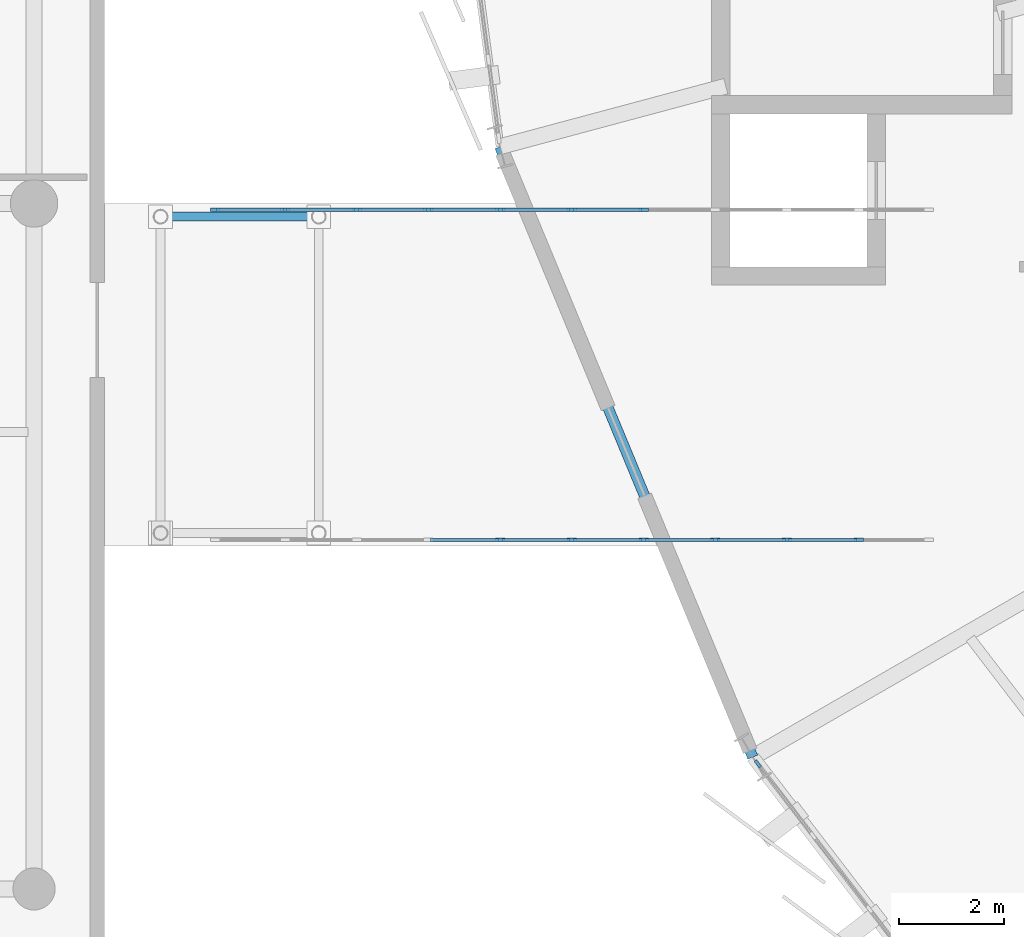
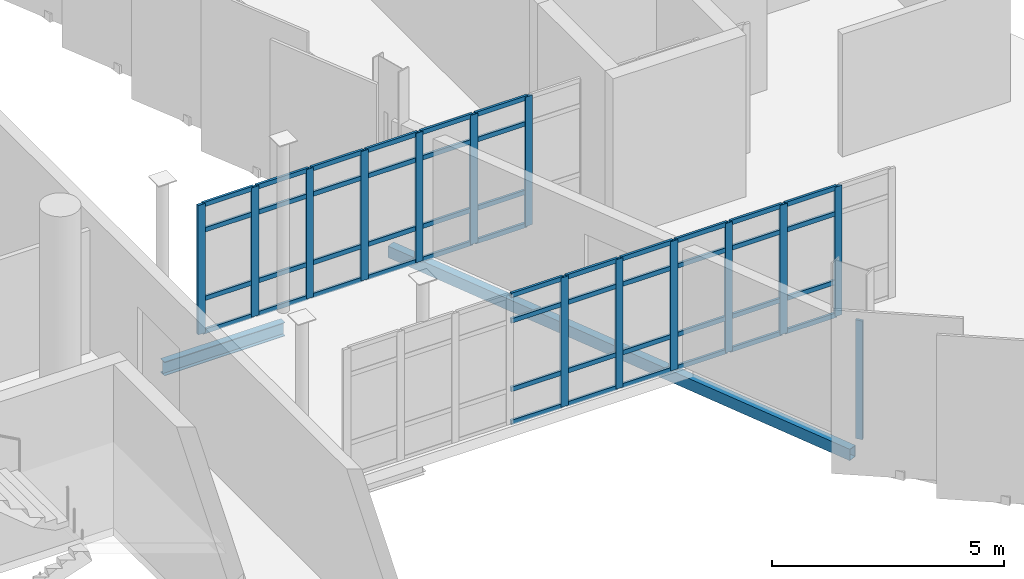
# One storey, part 30 of 134: 62 members, 2 beams, 3 elements without a shape of their own.
"""IFC4 building model written with IfcOpenShell, lengths in metres."""

import ifcopenshell
import ifcopenshell.guid

model = None  # the IFC model being written
_history = None  # IfcOwnerHistory: only IFC2X3 demands one
_inside = {}  # id of a spatial element -> (the spatial element, [elements in it])
_under = {}  # id of a project, library or spatial element -> (it, [spatial elements below it])
_declared = {}  # id of a project -> (the project, [libraries it declares])
_typed = {}  # id of a type object -> (the type object, [elements of that type])
_made_of = {}  # id of a material, layer set ... -> (it, [elements and type objects made of it])


def new_model(schema):
    """Start an empty IFC model of exactly this schema.

    Asked for "IFC4X3", IfcOpenShell would pick the latest addendum, in which some entities
    have other attributes; the version numbers below select the first issue.
    IFC2X3 requires an IfcOwnerHistory on every rooted entity: one is made here for all.
    """
    global model, _history
    if schema == "IFC4X3":
        model = ifcopenshell.file(schema_version=(4, 3, 0, 0))
    else:
        model = ifcopenshell.file(schema=schema)
    _inside.clear()
    _under.clear()
    _declared.clear()
    _typed.clear()
    _made_of.clear()
    _history = None
    if model.schema == "IFC2X3":
        org = make("IfcOrganization", Name="unknown")
        user = make(
            "IfcPersonAndOrganization",
            ThePerson=make("IfcPerson", FamilyName="unknown"),
            TheOrganization=org,
        )
        app = make(
            "IfcApplication",
            ApplicationDeveloper=org,
            Version="unknown",
            ApplicationFullName="unknown",
            ApplicationIdentifier="unknown",
        )
        _history = make(
            "IfcOwnerHistory",
            OwningUser=user,
            OwningApplication=app,
            ChangeAction="ADDED",
            CreationDate=0,
        )
    return model


def make(cls, **values):
    """One entity of the class cls with the attributes given. An attribute that is None is left unset."""
    return model.create_entity(
        cls, **{name: value for name, value in values.items() if value is not None}
    )


def rooted(cls, **values):
    """An entity with a GlobalId (a new one), such as an element, a storey or a relation."""
    return make(cls, GlobalId=ifcopenshell.guid.new(), OwnerHistory=_history, **values)


def si_unit(unit_type, name, prefix=None):
    """IfcSIUnit, for example si_unit("LENGTHUNIT", "METRE", prefix="MILLI")."""
    return make("IfcSIUnit", UnitType=unit_type, Prefix=prefix, Name=name)


def assignment(units):
    """IfcUnitAssignment: the units of a project."""
    return None if units is None else make("IfcUnitAssignment", Units=units)


def point(xyz):
    """IfcCartesianPoint."""
    return None if xyz is None else make("IfcCartesianPoint", Coordinates=xyz)


def direction(xyz):
    """IfcDirection."""
    return None if xyz is None else make("IfcDirection", DirectionRatios=xyz)


def frame(location, z_axis=None, x_axis=None):
    """IfcAxis2Placement3D, a coordinate frame: its origin and axes. An axis left out is left unset."""
    return make(
        "IfcAxis2Placement3D",
        Location=point(location),
        Axis=direction(z_axis),
        RefDirection=direction(x_axis),
    )


def frame_2d(location, x_axis=None):
    """IfcAxis2Placement2D, a coordinate frame in the plane: its origin and x axis."""
    return make(
        "IfcAxis2Placement2D", Location=point(location), RefDirection=direction(x_axis)
    )


def origin():
    """The frame at (0, 0, 0) with its axes left unset."""
    return frame((0.0, 0.0, 0.0))


def origin_2d():
    """The frame at (0, 0) in the plane with its x axis left unset."""
    return frame_2d((0.0, 0.0))


def place(relative_to, where):
    """IfcLocalPlacement: puts the frame where relative to a parent placement (None: the world)."""
    return make(
        "IfcLocalPlacement", PlacementRelTo=relative_to, RelativePlacement=where
    )


def context(
    kind, dimensions, precision=None, world=None, true_north=None, identifier=None
):
    """IfcGeometricRepresentationContext, for example the 3D "Model" context."""
    return make(
        "IfcGeometricRepresentationContext",
        ContextIdentifier=identifier,
        ContextType=kind,
        CoordinateSpaceDimension=dimensions,
        Precision=precision,
        WorldCoordinateSystem=world,
        TrueNorth=true_north,
    )


def subcontext(parent, identifier, kind, view, scale=None):
    """IfcGeometricRepresentationSubContext, for example "Body" below "Model"."""
    return make(
        "IfcGeometricRepresentationSubContext",
        ContextIdentifier=identifier,
        ContextType=kind,
        ParentContext=parent,
        TargetScale=scale,
        TargetView=view,
    )


def project(units=None, contexts=None):
    """IfcProject with its units and contexts."""
    return rooted(
        "IfcProject",
        Name="project",
        RepresentationContexts=contexts,
        UnitsInContext=assignment(units),
    )


def spatial(cls, under=None, at=None, **own):
    """A site, building, storey or space (cls), placed at a placement, below another one or the project."""
    s = rooted(cls, ObjectPlacement=at, **own)
    if under is not None:
        _under.setdefault(under.id(), (under, []))[1].append(s)
    return s


def profile(cls, at=None, kind="AREA", **sizes):
    """A parametric profile (cls). Its sizes go by their IFC names, for example OverallWidth=200.0."""
    return make(cls, ProfileType=kind, Position=at, **sizes)


def rectangle(**sizes):
    """IfcRectangleProfileDef."""
    return profile("IfcRectangleProfileDef", **sizes)


def hollow_rectangle(**sizes):
    """IfcRectangleHollowProfileDef."""
    return profile("IfcRectangleHollowProfileDef", **sizes)


def i_section(**sizes):
    """IfcIShapeProfileDef."""
    return profile("IfcIShapeProfileDef", **sizes)


def extrude(swept, where, along, depth):
    """IfcExtrudedAreaSolid: the profile swept, set in the frame where, extruded along a direction by depth."""
    return make(
        "IfcExtrudedAreaSolid",
        SweptArea=swept,
        Position=where,
        ExtrudedDirection=direction(along),
        Depth=depth,
    )


def shape(context_of_items, identifier, shape_type, items):
    """IfcShapeRepresentation: the items that make up one representation, for example the "Body"."""
    return make(
        "IfcShapeRepresentation",
        ContextOfItems=context_of_items,
        RepresentationIdentifier=identifier,
        RepresentationType=shape_type,
        Items=items,
    )


def material(Name=None, Category=None):
    """IfcMaterial."""
    return make("IfcMaterial", Name=Name, Category=Category)


def layer(
    of_material, thickness, ventilated=None, Name=None, Category=None, Priority=None
):
    """IfcMaterialLayer: one layer of a wall or slab, of a material (None: an air gap)."""
    return make(
        "IfcMaterialLayer",
        Material=of_material,
        LayerThickness=thickness,
        IsVentilated=ventilated,
        Name=Name,
        Category=Category,
        Priority=Priority,
    )


def layer_set(layers, Name=None):
    """IfcMaterialLayerSet."""
    return make("IfcMaterialLayerSet", MaterialLayers=layers, LayerSetName=Name)


def material_profile(
    of_material, cross_section, Name=None, Category=None, Priority=None
):
    """IfcMaterialProfile: a cross section and its material."""
    return make(
        "IfcMaterialProfile",
        Name=Name,
        Material=of_material,
        Profile=cross_section,
        Priority=Priority,
        Category=Category,
    )


def profile_set(profiles, Name=None, composite=None):
    """IfcMaterialProfileSet."""
    return make(
        "IfcMaterialProfileSet",
        Name=Name,
        MaterialProfiles=profiles,
        CompositeProfile=composite,
    )


def made_of(thing, what):
    """Note that an element or type object is made of a material, layer set ...; save() writes the relation."""
    if what is not None:
        _made_of.setdefault(what.id(), (what, []))[1].append(thing)
    return thing


def type_object(cls, material=None, **own):
    """A type object (cls), such as IfcWallType, which elements share."""
    return made_of(rooted(cls, **own), material)


def element(
    cls,
    number,
    at=None,
    inside=None,
    cuts=None,
    type_object=None,
    material=None,
    context=None,
    identifier="Body",
    shape_type=None,
    held_by="IfcProductDefinitionShape",
    body=None,
    shapes=None,
    **own,
):
    """One element of the class cls, such as IfcWall. Its Tag is "e" and its number.

    at: its placement. inside: the storey or other place that contains it. cuts: it is an
    opening in that element (IfcRelVoidsElement). A single representation is given by context,
    identifier, shape_type and body (its items); several are given by shapes. held_by: the class
    of the entity that holds the representations. save() writes the other relations.
    """
    e = rooted(cls, Tag="e%d" % number, ObjectPlacement=at, **own)
    if body is not None:
        shapes = [shape(context, identifier, shape_type, body)]
    if shapes is not None:
        e.Representation = make(held_by, Representations=shapes)
    if inside is not None:
        _inside.setdefault(inside.id(), (inside, []))[1].append(e)
    if cuts is not None:
        rooted(
            "IfcRelVoidsElement", RelatingBuildingElement=cuts, RelatedOpeningElement=e
        )
    if type_object is not None:
        _typed.setdefault(type_object.id(), (type_object, []))[1].append(e)
    return made_of(e, material)


def aggregate(whole, parts):
    """IfcRelAggregates: a whole, such as a stair, and the parts it consists of."""
    return rooted("IfcRelAggregates", RelatingObject=whole, RelatedObjects=parts)


def save(model, path):
    """Write the relations noted so far, then the file.

    IfcRelAggregates (storeys below a building ...), IfcRelContainedInSpatialStructure (elements
    in a storey), IfcRelDefinesByType, IfcRelAssociatesMaterial and IfcRelDeclares: one each for
    every whole, place, type object, material and project.
    """
    for whole, parts in _under.values():
        aggregate(whole, parts)
    for where, things in _inside.values():
        rooted(
            "IfcRelContainedInSpatialStructure",
            RelatedElements=things,
            RelatingStructure=where,
        )
    for kind, things in _typed.values():
        rooted("IfcRelDefinesByType", RelatedObjects=things, RelatingType=kind)
    for what, things in _made_of.values():
        rooted("IfcRelAssociatesMaterial", RelatedObjects=things, RelatingMaterial=what)
    for by, libraries in _declared.values():
        rooted("IfcRelDeclares", RelatingContext=by, RelatedDefinitions=libraries)
    model.write(path)


model = new_model("IFC4")

# Units and contexts
model_context = context("Model", 3, precision=1e-05, world=origin(), true_north=direction((0.0, 1.0)))
body_context = subcontext(model_context, "Body", "Model", "MODEL_VIEW")
ifc_project = project(units=[si_unit("LENGTHUNIT", "METRE"), si_unit("AREAUNIT", "SQUARE_METRE"), si_unit("VOLUMEUNIT", "CUBIC_METRE"), si_unit("PLANEANGLEUNIT", "RADIAN"), si_unit("MASSUNIT", "GRAM", prefix="KILO")], contexts=[model_context])

# Site, building, storey
site_placement = place(None, origin())
site = spatial("IfcSite", under=ifc_project, at=site_placement, CompositionType="ELEMENT")
building_placement = place(site_placement, origin())
building = spatial("IfcBuilding", under=site, at=building_placement, Name="Sohan Crest Arena", CompositionType="ELEMENT")
storey_placement = place(building_placement, frame((0.0, 0.0, 4.5)))
storey = spatial("IfcBuildingStorey", under=building, at=storey_placement, Name="L01", CompositionType="ELEMENT", Elevation=4.5)

# Curtain wall, member
ifc_material_1 = material(Name="Thermally broken anodised aluminium", Category="aluminium")
ifc_layer_1 = layer(ifc_material_1, 0.219970703125, Name="Thermally broken anodised aluminium")
ifc_layer_set_1 = layer_set([ifc_layer_1], Name="Thermally broken anodised aluminium")
curtain_wall_type_1 = type_object("IfcCurtainWallType", Name="ARC-CW03", PredefinedType="NOTDEFINED", material=ifc_layer_set_1)
curtain_wall_1_placement = place(storey_placement, origin())
curtain_wall_1 = element("IfcCurtainWall", 1, at=curtain_wall_1_placement, inside=storey, type_object=curtain_wall_type_1, Name="Unitised curtain wall CW-026", PredefinedType="NOTDEFINED")
ifc_material_profile_1 = material_profile(ifc_material_1, rectangle(XDim=0.06005859375, YDim=0.159912109375, at=origin_2d()), Name="ALU-MULL 60x160")
ifc_profile_set_1 = profile_set([ifc_material_profile_1], Name="Thermally broken anodised aluminium")
member_type_1 = type_object("IfcMemberType", Name="ARC-CW-ML01", PredefinedType="MULLION", material=ifc_profile_set_1)
member_1_placement = place(storey_placement, frame((56.5283203125, 53.873291015625, 0.0), z_axis=(0.0, 0.0, 1.0), x_axis=(0.793350515411, 0.608765110447, 0.0)))
member_1 = element("IfcMember", 2, at=member_1_placement, type_object=member_type_1, Name="CW-026 mullion 1", PredefinedType="MULLION", context=body_context, shape_type="SweptSolid", body=[
    extrude(rectangle(XDim=0.06005859375, YDim=0.159912109375, at=origin_2d()), origin(), (0.0, 0.0, 1.0), 3.1201171875),
])
aggregate(curtain_wall_1, [member_1])

# Curtain wall, members
ifc_layer_2 = layer(ifc_material_1, 0.18994140625, Name="Thermally broken anodised aluminium")
ifc_layer_set_2 = layer_set([ifc_layer_2], Name="Thermally broken anodised aluminium")
curtain_wall_type_2 = type_object("IfcCurtainWallType", Name="ARC-CW05", PredefinedType="NOTDEFINED", material=ifc_layer_set_2)
curtain_wall_2_placement = place(storey_placement, origin())
curtain_wall_2 = element("IfcCurtainWall", 3, at=curtain_wall_2_placement, inside=storey, type_object=curtain_wall_type_2, Name="Unitised curtain wall CW-225", PredefinedType="NOTDEFINED")
ifc_material_profile_2 = material_profile(ifc_material_1, rectangle(XDim=0.06494140625, YDim=0.179931640625, at=origin_2d()), Name="ALU-MULL 65x180")
ifc_profile_set_2 = profile_set([ifc_material_profile_2], Name="Thermally broken anodised aluminium")
member_type_2 = type_object("IfcMemberType", Name="ARC-CW-ML02", PredefinedType="MULLION", material=ifc_profile_set_2)
member_2_placement = place(storey_placement, frame((51.639892578125, 58.1201171875, 0.0), z_axis=(0.0, 0.0, 1.0), x_axis=(0.0, 1.0, 0.0)))
member_2 = element("IfcMember", 4, at=member_2_placement, type_object=member_type_2, Name="CW-225 mullion 5", PredefinedType="MULLION", context=body_context, shape_type="SweptSolid", body=[
    extrude(rectangle(XDim=0.06494140625, YDim=0.179931640625, at=origin_2d()), origin(), (0.0, 0.0, 1.0), 3.39990234375),
])
member_3_placement = place(storey_placement, frame((53.0, 58.1201171875, 0.0), z_axis=(0.0, 0.0, 1.0), x_axis=(0.0, 1.0, 0.0)))
member_3 = element("IfcMember", 5, at=member_3_placement, type_object=member_type_2, Name="CW-225 mullion 6", PredefinedType="MULLION", context=body_context, shape_type="SweptSolid", body=[
    extrude(rectangle(XDim=0.06494140625, YDim=0.179931640625, at=origin_2d()), origin(), (0.0, 0.0, 1.0), 3.39990234375),
])
member_4_placement = place(storey_placement, frame((54.360107421875, 58.1201171875, 0.0), z_axis=(0.0, 0.0, 1.0), x_axis=(0.0, 1.0, 0.0)))
member_4 = element("IfcMember", 6, at=member_4_placement, type_object=member_type_2, Name="CW-225 mullion 7", PredefinedType="MULLION", context=body_context, shape_type="SweptSolid", body=[
    extrude(rectangle(XDim=0.06494140625, YDim=0.179931640625, at=origin_2d()), origin(), (0.0, 0.0, 1.0), 3.39990234375),
])
member_5_placement = place(storey_placement, frame((55.719970703125, 58.1201171875, 0.0), z_axis=(0.0, 0.0, 1.0), x_axis=(0.0, 1.0, 0.0)))
member_5 = element("IfcMember", 7, at=member_5_placement, type_object=member_type_2, Name="CW-225 mullion 8", PredefinedType="MULLION", context=body_context, shape_type="SweptSolid", body=[
    extrude(rectangle(XDim=0.06494140625, YDim=0.179931640625, at=origin_2d()), origin(), (0.0, 0.0, 1.0), 3.39990234375),
])
member_6_placement = place(storey_placement, frame((57.080078125, 58.1201171875, 0.0), z_axis=(0.0, 0.0, 1.0), x_axis=(0.0, 1.0, 0.0)))
member_6 = element("IfcMember", 8, at=member_6_placement, type_object=member_type_2, Name="CW-225 mullion 9", PredefinedType="MULLION", context=body_context, shape_type="SweptSolid", body=[
    extrude(rectangle(XDim=0.06494140625, YDim=0.179931640625, at=origin_2d()), origin(), (0.0, 0.0, 1.0), 3.39990234375),
])
member_7_placement = place(storey_placement, frame((58.43994140625, 58.1201171875, 0.0), z_axis=(0.0, 0.0, 1.0), x_axis=(0.0, 1.0, 0.0)))
member_7 = element("IfcMember", 9, at=member_7_placement, type_object=member_type_2, Name="CW-225 mullion 10", PredefinedType="MULLION", context=body_context, shape_type="SweptSolid", body=[
    extrude(rectangle(XDim=0.06494140625, YDim=0.179931640625, at=origin_2d()), origin(), (0.0, 0.0, 1.0), 3.39990234375),
])

curtain_wall_3_placement = place(storey_placement, origin())
curtain_wall_3 = element("IfcCurtainWall", 10, at=curtain_wall_3_placement, inside=storey, type_object=curtain_wall_type_2, Name="Unitised curtain wall CW-226", PredefinedType="NOTDEFINED")
member_8_placement = place(storey_placement, frame((46.232421875, 64.3798828125, 0.0), z_axis=(0.0, 0.0, 1.0), x_axis=(0.0, 1.0, 0.0)))
member_8 = element("IfcMember", 11, at=member_8_placement, type_object=member_type_2, Name="CW-226 mullion 1", PredefinedType="MULLION", context=body_context, shape_type="SweptSolid", body=[
    extrude(rectangle(XDim=0.06494140625, YDim=0.179931640625, at=origin_2d()), origin(), (0.0, 0.0, 1.0), 3.39990234375),
])
member_9_placement = place(storey_placement, frame((47.56005859375, 64.3798828125, 0.0), z_axis=(0.0, 0.0, 1.0), x_axis=(0.0, 1.0, 0.0)))
member_9 = element("IfcMember", 12, at=member_9_placement, type_object=member_type_2, Name="CW-226 mullion 2", PredefinedType="MULLION", context=body_context, shape_type="SweptSolid", body=[
    extrude(rectangle(XDim=0.06494140625, YDim=0.179931640625, at=origin_2d()), origin(), (0.0, 0.0, 1.0), 3.39990234375),
])
member_10_placement = place(storey_placement, frame((48.919921875, 64.3798828125, 0.0), z_axis=(0.0, 0.0, 1.0), x_axis=(0.0, 1.0, 0.0)))
member_10 = element("IfcMember", 13, at=member_10_placement, type_object=member_type_2, Name="CW-226 mullion 3", PredefinedType="MULLION", context=body_context, shape_type="SweptSolid", body=[
    extrude(rectangle(XDim=0.06494140625, YDim=0.179931640625, at=origin_2d()), origin(), (0.0, 0.0, 1.0), 3.39990234375),
])
member_11_placement = place(storey_placement, frame((50.280029296875, 64.3798828125, 0.0), z_axis=(0.0, 0.0, 1.0), x_axis=(0.0, 1.0, 0.0)))
member_11 = element("IfcMember", 14, at=member_11_placement, type_object=member_type_2, Name="CW-226 mullion 4", PredefinedType="MULLION", context=body_context, shape_type="SweptSolid", body=[
    extrude(rectangle(XDim=0.06494140625, YDim=0.179931640625, at=origin_2d()), origin(), (0.0, 0.0, 1.0), 3.39990234375),
])
member_12_placement = place(storey_placement, frame((51.639892578125, 64.3798828125, 0.0), z_axis=(0.0, 0.0, 1.0), x_axis=(0.0, 1.0, 0.0)))
member_12 = element("IfcMember", 15, at=member_12_placement, type_object=member_type_2, Name="CW-226 mullion 5", PredefinedType="MULLION", context=body_context, shape_type="SweptSolid", body=[
    extrude(rectangle(XDim=0.06494140625, YDim=0.179931640625, at=origin_2d()), origin(), (0.0, 0.0, 1.0), 3.39990234375),
])
member_13_placement = place(storey_placement, frame((53.0, 64.3798828125, 0.0), z_axis=(0.0, 0.0, 1.0), x_axis=(0.0, 1.0, 0.0)))
member_13 = element("IfcMember", 16, at=member_13_placement, type_object=member_type_2, Name="CW-226 mullion 6", PredefinedType="MULLION", context=body_context, shape_type="SweptSolid", body=[
    extrude(rectangle(XDim=0.06494140625, YDim=0.179931640625, at=origin_2d()), origin(), (0.0, 0.0, 1.0), 3.39990234375),
])
member_14_placement = place(storey_placement, frame((54.360107421875, 64.3798828125, 0.0), z_axis=(0.0, 0.0, 1.0), x_axis=(0.0, 1.0, 0.0)))
member_14 = element("IfcMember", 17, at=member_14_placement, type_object=member_type_2, Name="CW-226 mullion 7", PredefinedType="MULLION", context=body_context, shape_type="SweptSolid", body=[
    extrude(rectangle(XDim=0.06494140625, YDim=0.179931640625, at=origin_2d()), origin(), (0.0, 0.0, 1.0), 3.39990234375),
])

# Member
ifc_material_profile_3 = material_profile(ifc_material_1, rectangle(XDim=0.06005859375, YDim=0.1201171875, at=origin_2d()), Name="ALU-TRAN 60x120")
ifc_profile_set_3 = profile_set([ifc_material_profile_3], Name="Thermally broken anodised aluminium")
member_type_3 = type_object("IfcMemberType", Name="ARC-CW-TR01", PredefinedType="USERDEFINED", material=ifc_profile_set_3)
member_15_placement = place(storey_placement, frame((50.3125, 58.1201171875, 0.030029296875), z_axis=(1.0, 0.0, 0.0), x_axis=(0.0, 1.0, 0.0)))
member_15 = element("IfcMember", 18, at=member_15_placement, type_object=member_type_3, Name="CW-225 transom 4.1", ObjectType="TRANSOM", PredefinedType="USERDEFINED", context=body_context, shape_type="SweptSolid", body=[
    extrude(rectangle(XDim=0.06005859375, YDim=0.1201171875, at=origin_2d()), origin(), (0.0, 0.0, 1.0), 1.294921875),
])

member_16_placement = place(storey_placement, frame((50.3125, 58.1201171875, 0.89990234375), z_axis=(1.0, 0.0, 0.0), x_axis=(0.0, 1.0, 0.0)))
member_16 = element("IfcMember", 19, at=member_16_placement, type_object=member_type_3, Name="CW-225 transom 4.2", ObjectType="TRANSOM", PredefinedType="USERDEFINED", context=body_context, shape_type="SweptSolid", body=[
    extrude(rectangle(XDim=0.06005859375, YDim=0.1201171875, at=origin_2d()), origin(), (0.0, 0.0, 1.0), 1.294921875),
])

member_17_placement = place(storey_placement, frame((50.3125, 58.1201171875, 2.699951171875), z_axis=(1.0, 0.0, 0.0), x_axis=(0.0, 1.0, 0.0)))
member_17 = element("IfcMember", 20, at=member_17_placement, type_object=member_type_3, Name="CW-225 transom 4.3", ObjectType="TRANSOM", PredefinedType="USERDEFINED", context=body_context, shape_type="SweptSolid", body=[
    extrude(rectangle(XDim=0.06005859375, YDim=0.1201171875, at=origin_2d()), origin(), (0.0, 0.0, 1.0), 1.294921875),
])

member_18_placement = place(storey_placement, frame((50.3125, 58.1201171875, 3.3701171875), z_axis=(1.0, 0.0, 0.0), x_axis=(0.0, 1.0, 0.0)))
member_18 = element("IfcMember", 21, at=member_18_placement, type_object=member_type_3, Name="CW-225 transom 4.4", ObjectType="TRANSOM", PredefinedType="USERDEFINED", context=body_context, shape_type="SweptSolid", body=[
    extrude(rectangle(XDim=0.06005859375, YDim=0.1201171875, at=origin_2d()), origin(), (0.0, 0.0, 1.0), 1.294921875),
])

member_19_placement = place(storey_placement, frame((51.672607421875, 58.1201171875, 0.030029296875), z_axis=(1.0, 0.0, 0.0), x_axis=(0.0, 1.0, 0.0)))
member_19 = element("IfcMember", 22, at=member_19_placement, type_object=member_type_3, Name="CW-225 transom 5.1", ObjectType="TRANSOM", PredefinedType="USERDEFINED", context=body_context, shape_type="SweptSolid", body=[
    extrude(rectangle(XDim=0.06005859375, YDim=0.1201171875, at=origin_2d()), origin(), (0.0, 0.0, 1.0), 1.294921875),
])

member_20_placement = place(storey_placement, frame((51.672607421875, 58.1201171875, 0.89990234375), z_axis=(1.0, 0.0, 0.0), x_axis=(0.0, 1.0, 0.0)))
member_20 = element("IfcMember", 23, at=member_20_placement, type_object=member_type_3, Name="CW-225 transom 5.2", ObjectType="TRANSOM", PredefinedType="USERDEFINED", context=body_context, shape_type="SweptSolid", body=[
    extrude(rectangle(XDim=0.06005859375, YDim=0.1201171875, at=origin_2d()), origin(), (0.0, 0.0, 1.0), 1.294921875),
])

member_21_placement = place(storey_placement, frame((51.672607421875, 58.1201171875, 2.699951171875), z_axis=(1.0, 0.0, 0.0), x_axis=(0.0, 1.0, 0.0)))
member_21 = element("IfcMember", 24, at=member_21_placement, type_object=member_type_3, Name="CW-225 transom 5.3", ObjectType="TRANSOM", PredefinedType="USERDEFINED", context=body_context, shape_type="SweptSolid", body=[
    extrude(rectangle(XDim=0.06005859375, YDim=0.1201171875, at=origin_2d()), origin(), (0.0, 0.0, 1.0), 1.294921875),
])

member_22_placement = place(storey_placement, frame((51.672607421875, 58.1201171875, 3.3701171875), z_axis=(1.0, 0.0, 0.0), x_axis=(0.0, 1.0, 0.0)))
member_22 = element("IfcMember", 25, at=member_22_placement, type_object=member_type_3, Name="CW-225 transom 5.4", ObjectType="TRANSOM", PredefinedType="USERDEFINED", context=body_context, shape_type="SweptSolid", body=[
    extrude(rectangle(XDim=0.06005859375, YDim=0.1201171875, at=origin_2d()), origin(), (0.0, 0.0, 1.0), 1.294921875),
])

member_23_placement = place(storey_placement, frame((53.032470703125, 58.1201171875, 0.030029296875), z_axis=(1.0, 0.0, 0.0), x_axis=(0.0, 1.0, 0.0)))
member_23 = element("IfcMember", 26, at=member_23_placement, type_object=member_type_3, Name="CW-225 transom 6.1", ObjectType="TRANSOM", PredefinedType="USERDEFINED", context=body_context, shape_type="SweptSolid", body=[
    extrude(rectangle(XDim=0.06005859375, YDim=0.1201171875, at=origin_2d()), origin(), (0.0, 0.0, 1.0), 1.294921875),
])

member_24_placement = place(storey_placement, frame((53.032470703125, 58.1201171875, 0.89990234375), z_axis=(1.0, 0.0, 0.0), x_axis=(0.0, 1.0, 0.0)))
member_24 = element("IfcMember", 27, at=member_24_placement, type_object=member_type_3, Name="CW-225 transom 6.2", ObjectType="TRANSOM", PredefinedType="USERDEFINED", context=body_context, shape_type="SweptSolid", body=[
    extrude(rectangle(XDim=0.06005859375, YDim=0.1201171875, at=origin_2d()), origin(), (0.0, 0.0, 1.0), 1.294921875),
])

member_25_placement = place(storey_placement, frame((53.032470703125, 58.1201171875, 2.699951171875), z_axis=(1.0, 0.0, 0.0), x_axis=(0.0, 1.0, 0.0)))
member_25 = element("IfcMember", 28, at=member_25_placement, type_object=member_type_3, Name="CW-225 transom 6.3", ObjectType="TRANSOM", PredefinedType="USERDEFINED", context=body_context, shape_type="SweptSolid", body=[
    extrude(rectangle(XDim=0.06005859375, YDim=0.1201171875, at=origin_2d()), origin(), (0.0, 0.0, 1.0), 1.294921875),
])

member_26_placement = place(storey_placement, frame((53.032470703125, 58.1201171875, 3.3701171875), z_axis=(1.0, 0.0, 0.0), x_axis=(0.0, 1.0, 0.0)))
member_26 = element("IfcMember", 29, at=member_26_placement, type_object=member_type_3, Name="CW-225 transom 6.4", ObjectType="TRANSOM", PredefinedType="USERDEFINED", context=body_context, shape_type="SweptSolid", body=[
    extrude(rectangle(XDim=0.06005859375, YDim=0.1201171875, at=origin_2d()), origin(), (0.0, 0.0, 1.0), 1.294921875),
])

member_27_placement = place(storey_placement, frame((54.392578125, 58.1201171875, 0.030029296875), z_axis=(1.0, 0.0, 0.0), x_axis=(0.0, 1.0, 0.0)))
member_27 = element("IfcMember", 30, at=member_27_placement, type_object=member_type_3, Name="CW-225 transom 7.1", ObjectType="TRANSOM", PredefinedType="USERDEFINED", context=body_context, shape_type="SweptSolid", body=[
    extrude(rectangle(XDim=0.06005859375, YDim=0.1201171875, at=origin_2d()), origin(), (0.0, 0.0, 1.0), 1.294921875),
])

member_28_placement = place(storey_placement, frame((54.392578125, 58.1201171875, 0.89990234375), z_axis=(1.0, 0.0, 0.0), x_axis=(0.0, 1.0, 0.0)))
member_28 = element("IfcMember", 31, at=member_28_placement, type_object=member_type_3, Name="CW-225 transom 7.2", ObjectType="TRANSOM", PredefinedType="USERDEFINED", context=body_context, shape_type="SweptSolid", body=[
    extrude(rectangle(XDim=0.06005859375, YDim=0.1201171875, at=origin_2d()), origin(), (0.0, 0.0, 1.0), 1.294921875),
])

member_29_placement = place(storey_placement, frame((54.392578125, 58.1201171875, 2.699951171875), z_axis=(1.0, 0.0, 0.0), x_axis=(0.0, 1.0, 0.0)))
member_29 = element("IfcMember", 32, at=member_29_placement, type_object=member_type_3, Name="CW-225 transom 7.3", ObjectType="TRANSOM", PredefinedType="USERDEFINED", context=body_context, shape_type="SweptSolid", body=[
    extrude(rectangle(XDim=0.06005859375, YDim=0.1201171875, at=origin_2d()), origin(), (0.0, 0.0, 1.0), 1.294921875),
])

member_30_placement = place(storey_placement, frame((54.392578125, 58.1201171875, 3.3701171875), z_axis=(1.0, 0.0, 0.0), x_axis=(0.0, 1.0, 0.0)))
member_30 = element("IfcMember", 33, at=member_30_placement, type_object=member_type_3, Name="CW-225 transom 7.4", ObjectType="TRANSOM", PredefinedType="USERDEFINED", context=body_context, shape_type="SweptSolid", body=[
    extrude(rectangle(XDim=0.06005859375, YDim=0.1201171875, at=origin_2d()), origin(), (0.0, 0.0, 1.0), 1.294921875),
])

member_31_placement = place(storey_placement, frame((55.75244140625, 58.1201171875, 0.030029296875), z_axis=(1.0, 0.0, 0.0), x_axis=(0.0, 1.0, 0.0)))
member_31 = element("IfcMember", 34, at=member_31_placement, type_object=member_type_3, Name="CW-225 transom 8.1", ObjectType="TRANSOM", PredefinedType="USERDEFINED", context=body_context, shape_type="SweptSolid", body=[
    extrude(rectangle(XDim=0.06005859375, YDim=0.1201171875, at=origin_2d()), origin(), (0.0, 0.0, 1.0), 1.295166015625),
])

member_32_placement = place(storey_placement, frame((55.75244140625, 58.1201171875, 0.89990234375), z_axis=(1.0, 0.0, 0.0), x_axis=(0.0, 1.0, 0.0)))
member_32 = element("IfcMember", 35, at=member_32_placement, type_object=member_type_3, Name="CW-225 transom 8.2", ObjectType="TRANSOM", PredefinedType="USERDEFINED", context=body_context, shape_type="SweptSolid", body=[
    extrude(rectangle(XDim=0.06005859375, YDim=0.1201171875, at=origin_2d()), origin(), (0.0, 0.0, 1.0), 1.295166015625),
])

member_33_placement = place(storey_placement, frame((55.75244140625, 58.1201171875, 2.699951171875), z_axis=(1.0, 0.0, 0.0), x_axis=(0.0, 1.0, 0.0)))
member_33 = element("IfcMember", 36, at=member_33_placement, type_object=member_type_3, Name="CW-225 transom 8.3", ObjectType="TRANSOM", PredefinedType="USERDEFINED", context=body_context, shape_type="SweptSolid", body=[
    extrude(rectangle(XDim=0.06005859375, YDim=0.1201171875, at=origin_2d()), origin(), (0.0, 0.0, 1.0), 1.295166015625),
])

member_34_placement = place(storey_placement, frame((55.75244140625, 58.1201171875, 3.3701171875), z_axis=(1.0, 0.0, 0.0), x_axis=(0.0, 1.0, 0.0)))
member_34 = element("IfcMember", 37, at=member_34_placement, type_object=member_type_3, Name="CW-225 transom 8.4", ObjectType="TRANSOM", PredefinedType="USERDEFINED", context=body_context, shape_type="SweptSolid", body=[
    extrude(rectangle(XDim=0.06005859375, YDim=0.1201171875, at=origin_2d()), origin(), (0.0, 0.0, 1.0), 1.295166015625),
])

member_35_placement = place(storey_placement, frame((57.112548828125, 58.1201171875, 0.030029296875), z_axis=(1.0, 0.0, 0.0), x_axis=(0.0, 1.0, 0.0)))
member_35 = element("IfcMember", 38, at=member_35_placement, type_object=member_type_3, Name="CW-225 transom 9.1", ObjectType="TRANSOM", PredefinedType="USERDEFINED", context=body_context, shape_type="SweptSolid", body=[
    extrude(rectangle(XDim=0.06005859375, YDim=0.1201171875, at=origin_2d()), origin(), (0.0, 0.0, 1.0), 1.294921875),
])

member_36_placement = place(storey_placement, frame((57.112548828125, 58.1201171875, 0.89990234375), z_axis=(1.0, 0.0, 0.0), x_axis=(0.0, 1.0, 0.0)))
member_36 = element("IfcMember", 39, at=member_36_placement, type_object=member_type_3, Name="CW-225 transom 9.2", ObjectType="TRANSOM", PredefinedType="USERDEFINED", context=body_context, shape_type="SweptSolid", body=[
    extrude(rectangle(XDim=0.06005859375, YDim=0.1201171875, at=origin_2d()), origin(), (0.0, 0.0, 1.0), 1.294921875),
])

member_37_placement = place(storey_placement, frame((57.112548828125, 58.1201171875, 2.699951171875), z_axis=(1.0, 0.0, 0.0), x_axis=(0.0, 1.0, 0.0)))
member_37 = element("IfcMember", 40, at=member_37_placement, type_object=member_type_3, Name="CW-225 transom 9.3", ObjectType="TRANSOM", PredefinedType="USERDEFINED", context=body_context, shape_type="SweptSolid", body=[
    extrude(rectangle(XDim=0.06005859375, YDim=0.1201171875, at=origin_2d()), origin(), (0.0, 0.0, 1.0), 1.294921875),
])

member_38_placement = place(storey_placement, frame((57.112548828125, 58.1201171875, 3.3701171875), z_axis=(1.0, 0.0, 0.0), x_axis=(0.0, 1.0, 0.0)))
member_38 = element("IfcMember", 41, at=member_38_placement, type_object=member_type_3, Name="CW-225 transom 9.4", ObjectType="TRANSOM", PredefinedType="USERDEFINED", context=body_context, shape_type="SweptSolid", body=[
    extrude(rectangle(XDim=0.06005859375, YDim=0.1201171875, at=origin_2d()), origin(), (0.0, 0.0, 1.0), 1.294921875),
])

aggregate(curtain_wall_2, [member_2, member_3, member_4, member_5, member_6, member_7, member_15, member_16, member_17, member_18, member_19, member_20, member_21, member_22, member_23, member_24, member_25, member_26, member_27, member_28, member_29, member_30, member_31, member_32, member_33, member_34, member_35, member_36, member_37, member_38])

member_39_placement = place(storey_placement, frame((46.264892578125, 64.3798828125, 0.030029296875), z_axis=(1.0, 0.0, 0.0), x_axis=(0.0, 1.0, 0.0)))
member_39 = element("IfcMember", 42, at=member_39_placement, type_object=member_type_3, Name="CW-226 transom 1.1", ObjectType="TRANSOM", PredefinedType="USERDEFINED", context=body_context, shape_type="SweptSolid", body=[
    extrude(rectangle(XDim=0.06005859375, YDim=0.1201171875, at=origin_2d()), origin(), (0.0, 0.0, 1.0), 1.2626953125),
])

member_40_placement = place(storey_placement, frame((46.264892578125, 64.3798828125, 0.89990234375), z_axis=(1.0, 0.0, 0.0), x_axis=(0.0, 1.0, 0.0)))
member_40 = element("IfcMember", 43, at=member_40_placement, type_object=member_type_3, Name="CW-226 transom 1.2", ObjectType="TRANSOM", PredefinedType="USERDEFINED", context=body_context, shape_type="SweptSolid", body=[
    extrude(rectangle(XDim=0.06005859375, YDim=0.1201171875, at=origin_2d()), origin(), (0.0, 0.0, 1.0), 1.2626953125),
])

member_41_placement = place(storey_placement, frame((46.264892578125, 64.3798828125, 2.699951171875), z_axis=(1.0, 0.0, 0.0), x_axis=(0.0, 1.0, 0.0)))
member_41 = element("IfcMember", 44, at=member_41_placement, type_object=member_type_3, Name="CW-226 transom 1.3", ObjectType="TRANSOM", PredefinedType="USERDEFINED", context=body_context, shape_type="SweptSolid", body=[
    extrude(rectangle(XDim=0.06005859375, YDim=0.1201171875, at=origin_2d()), origin(), (0.0, 0.0, 1.0), 1.2626953125),
])

member_42_placement = place(storey_placement, frame((46.264892578125, 64.3798828125, 3.3701171875), z_axis=(1.0, 0.0, 0.0), x_axis=(0.0, 1.0, 0.0)))
member_42 = element("IfcMember", 45, at=member_42_placement, type_object=member_type_3, Name="CW-226 transom 1.4", ObjectType="TRANSOM", PredefinedType="USERDEFINED", context=body_context, shape_type="SweptSolid", body=[
    extrude(rectangle(XDim=0.06005859375, YDim=0.1201171875, at=origin_2d()), origin(), (0.0, 0.0, 1.0), 1.2626953125),
])

member_43_placement = place(storey_placement, frame((47.592529296875, 64.3798828125, 0.030029296875), z_axis=(1.0, 0.0, 0.0), x_axis=(0.0, 1.0, 0.0)))
member_43 = element("IfcMember", 46, at=member_43_placement, type_object=member_type_3, Name="CW-226 transom 2.1", ObjectType="TRANSOM", PredefinedType="USERDEFINED", context=body_context, shape_type="SweptSolid", body=[
    extrude(rectangle(XDim=0.06005859375, YDim=0.1201171875, at=origin_2d()), origin(), (0.0, 0.0, 1.0), 1.294921875),
])

member_44_placement = place(storey_placement, frame((47.592529296875, 64.3798828125, 0.89990234375), z_axis=(1.0, 0.0, 0.0), x_axis=(0.0, 1.0, 0.0)))
member_44 = element("IfcMember", 47, at=member_44_placement, type_object=member_type_3, Name="CW-226 transom 2.2", ObjectType="TRANSOM", PredefinedType="USERDEFINED", context=body_context, shape_type="SweptSolid", body=[
    extrude(rectangle(XDim=0.06005859375, YDim=0.1201171875, at=origin_2d()), origin(), (0.0, 0.0, 1.0), 1.294921875),
])

member_45_placement = place(storey_placement, frame((47.592529296875, 64.3798828125, 2.699951171875), z_axis=(1.0, 0.0, 0.0), x_axis=(0.0, 1.0, 0.0)))
member_45 = element("IfcMember", 48, at=member_45_placement, type_object=member_type_3, Name="CW-226 transom 2.3", ObjectType="TRANSOM", PredefinedType="USERDEFINED", context=body_context, shape_type="SweptSolid", body=[
    extrude(rectangle(XDim=0.06005859375, YDim=0.1201171875, at=origin_2d()), origin(), (0.0, 0.0, 1.0), 1.294921875),
])

member_46_placement = place(storey_placement, frame((47.592529296875, 64.3798828125, 3.3701171875), z_axis=(1.0, 0.0, 0.0), x_axis=(0.0, 1.0, 0.0)))
member_46 = element("IfcMember", 49, at=member_46_placement, type_object=member_type_3, Name="CW-226 transom 2.4", ObjectType="TRANSOM", PredefinedType="USERDEFINED", context=body_context, shape_type="SweptSolid", body=[
    extrude(rectangle(XDim=0.06005859375, YDim=0.1201171875, at=origin_2d()), origin(), (0.0, 0.0, 1.0), 1.294921875),
])

member_47_placement = place(storey_placement, frame((48.952392578125, 64.3798828125, 0.030029296875), z_axis=(1.0, 0.0, 0.0), x_axis=(0.0, 1.0, 0.0)))
member_47 = element("IfcMember", 50, at=member_47_placement, type_object=member_type_3, Name="CW-226 transom 3.1", ObjectType="TRANSOM", PredefinedType="USERDEFINED", context=body_context, shape_type="SweptSolid", body=[
    extrude(rectangle(XDim=0.06005859375, YDim=0.1201171875, at=origin_2d()), origin(), (0.0, 0.0, 1.0), 1.295166015625),
])

member_48_placement = place(storey_placement, frame((48.952392578125, 64.3798828125, 0.89990234375), z_axis=(1.0, 0.0, 0.0), x_axis=(0.0, 1.0, 0.0)))
member_48 = element("IfcMember", 51, at=member_48_placement, type_object=member_type_3, Name="CW-226 transom 3.2", ObjectType="TRANSOM", PredefinedType="USERDEFINED", context=body_context, shape_type="SweptSolid", body=[
    extrude(rectangle(XDim=0.06005859375, YDim=0.1201171875, at=origin_2d()), origin(), (0.0, 0.0, 1.0), 1.295166015625),
])

member_49_placement = place(storey_placement, frame((48.952392578125, 64.3798828125, 2.699951171875), z_axis=(1.0, 0.0, 0.0), x_axis=(0.0, 1.0, 0.0)))
member_49 = element("IfcMember", 52, at=member_49_placement, type_object=member_type_3, Name="CW-226 transom 3.3", ObjectType="TRANSOM", PredefinedType="USERDEFINED", context=body_context, shape_type="SweptSolid", body=[
    extrude(rectangle(XDim=0.06005859375, YDim=0.1201171875, at=origin_2d()), origin(), (0.0, 0.0, 1.0), 1.295166015625),
])

member_50_placement = place(storey_placement, frame((48.952392578125, 64.3798828125, 3.3701171875), z_axis=(1.0, 0.0, 0.0), x_axis=(0.0, 1.0, 0.0)))
member_50 = element("IfcMember", 53, at=member_50_placement, type_object=member_type_3, Name="CW-226 transom 3.4", ObjectType="TRANSOM", PredefinedType="USERDEFINED", context=body_context, shape_type="SweptSolid", body=[
    extrude(rectangle(XDim=0.06005859375, YDim=0.1201171875, at=origin_2d()), origin(), (0.0, 0.0, 1.0), 1.295166015625),
])

member_51_placement = place(storey_placement, frame((50.3125, 64.3798828125, 0.030029296875), z_axis=(1.0, 0.0, 0.0), x_axis=(0.0, 1.0, 0.0)))
member_51 = element("IfcMember", 54, at=member_51_placement, type_object=member_type_3, Name="CW-226 transom 4.1", ObjectType="TRANSOM", PredefinedType="USERDEFINED", context=body_context, shape_type="SweptSolid", body=[
    extrude(rectangle(XDim=0.06005859375, YDim=0.1201171875, at=origin_2d()), origin(), (0.0, 0.0, 1.0), 1.294921875),
])

member_52_placement = place(storey_placement, frame((50.3125, 64.3798828125, 0.89990234375), z_axis=(1.0, 0.0, 0.0), x_axis=(0.0, 1.0, 0.0)))
member_52 = element("IfcMember", 55, at=member_52_placement, type_object=member_type_3, Name="CW-226 transom 4.2", ObjectType="TRANSOM", PredefinedType="USERDEFINED", context=body_context, shape_type="SweptSolid", body=[
    extrude(rectangle(XDim=0.06005859375, YDim=0.1201171875, at=origin_2d()), origin(), (0.0, 0.0, 1.0), 1.294921875),
])

member_53_placement = place(storey_placement, frame((50.3125, 64.3798828125, 2.699951171875), z_axis=(1.0, 0.0, 0.0), x_axis=(0.0, 1.0, 0.0)))
member_53 = element("IfcMember", 56, at=member_53_placement, type_object=member_type_3, Name="CW-226 transom 4.3", ObjectType="TRANSOM", PredefinedType="USERDEFINED", context=body_context, shape_type="SweptSolid", body=[
    extrude(rectangle(XDim=0.06005859375, YDim=0.1201171875, at=origin_2d()), origin(), (0.0, 0.0, 1.0), 1.294921875),
])

member_54_placement = place(storey_placement, frame((50.3125, 64.3798828125, 3.3701171875), z_axis=(1.0, 0.0, 0.0), x_axis=(0.0, 1.0, 0.0)))
member_54 = element("IfcMember", 57, at=member_54_placement, type_object=member_type_3, Name="CW-226 transom 4.4", ObjectType="TRANSOM", PredefinedType="USERDEFINED", context=body_context, shape_type="SweptSolid", body=[
    extrude(rectangle(XDim=0.06005859375, YDim=0.1201171875, at=origin_2d()), origin(), (0.0, 0.0, 1.0), 1.294921875),
])

member_55_placement = place(storey_placement, frame((51.672607421875, 64.3798828125, 0.030029296875), z_axis=(1.0, 0.0, 0.0), x_axis=(0.0, 1.0, 0.0)))
member_55 = element("IfcMember", 58, at=member_55_placement, type_object=member_type_3, Name="CW-226 transom 5.1", ObjectType="TRANSOM", PredefinedType="USERDEFINED", context=body_context, shape_type="SweptSolid", body=[
    extrude(rectangle(XDim=0.06005859375, YDim=0.1201171875, at=origin_2d()), origin(), (0.0, 0.0, 1.0), 1.294921875),
])

member_56_placement = place(storey_placement, frame((51.672607421875, 64.3798828125, 0.89990234375), z_axis=(1.0, 0.0, 0.0), x_axis=(0.0, 1.0, 0.0)))
member_56 = element("IfcMember", 59, at=member_56_placement, type_object=member_type_3, Name="CW-226 transom 5.2", ObjectType="TRANSOM", PredefinedType="USERDEFINED", context=body_context, shape_type="SweptSolid", body=[
    extrude(rectangle(XDim=0.06005859375, YDim=0.1201171875, at=origin_2d()), origin(), (0.0, 0.0, 1.0), 1.294921875),
])

member_57_placement = place(storey_placement, frame((51.672607421875, 64.3798828125, 2.699951171875), z_axis=(1.0, 0.0, 0.0), x_axis=(0.0, 1.0, 0.0)))
member_57 = element("IfcMember", 60, at=member_57_placement, type_object=member_type_3, Name="CW-226 transom 5.3", ObjectType="TRANSOM", PredefinedType="USERDEFINED", context=body_context, shape_type="SweptSolid", body=[
    extrude(rectangle(XDim=0.06005859375, YDim=0.1201171875, at=origin_2d()), origin(), (0.0, 0.0, 1.0), 1.294921875),
])

member_58_placement = place(storey_placement, frame((51.672607421875, 64.3798828125, 3.3701171875), z_axis=(1.0, 0.0, 0.0), x_axis=(0.0, 1.0, 0.0)))
member_58 = element("IfcMember", 61, at=member_58_placement, type_object=member_type_3, Name="CW-226 transom 5.4", ObjectType="TRANSOM", PredefinedType="USERDEFINED", context=body_context, shape_type="SweptSolid", body=[
    extrude(rectangle(XDim=0.06005859375, YDim=0.1201171875, at=origin_2d()), origin(), (0.0, 0.0, 1.0), 1.294921875),
])

member_59_placement = place(storey_placement, frame((53.032470703125, 64.3798828125, 0.030029296875), z_axis=(1.0, 0.0, 0.0), x_axis=(0.0, 1.0, 0.0)))
member_59 = element("IfcMember", 62, at=member_59_placement, type_object=member_type_3, Name="CW-226 transom 6.1", ObjectType="TRANSOM", PredefinedType="USERDEFINED", context=body_context, shape_type="SweptSolid", body=[
    extrude(rectangle(XDim=0.06005859375, YDim=0.1201171875, at=origin_2d()), origin(), (0.0, 0.0, 1.0), 1.294921875),
])

member_60_placement = place(storey_placement, frame((53.032470703125, 64.3798828125, 0.89990234375), z_axis=(1.0, 0.0, 0.0), x_axis=(0.0, 1.0, 0.0)))
member_60 = element("IfcMember", 63, at=member_60_placement, type_object=member_type_3, Name="CW-226 transom 6.2", ObjectType="TRANSOM", PredefinedType="USERDEFINED", context=body_context, shape_type="SweptSolid", body=[
    extrude(rectangle(XDim=0.06005859375, YDim=0.1201171875, at=origin_2d()), origin(), (0.0, 0.0, 1.0), 1.294921875),
])

member_61_placement = place(storey_placement, frame((53.032470703125, 64.3798828125, 2.699951171875), z_axis=(1.0, 0.0, 0.0), x_axis=(0.0, 1.0, 0.0)))
member_61 = element("IfcMember", 64, at=member_61_placement, type_object=member_type_3, Name="CW-226 transom 6.3", ObjectType="TRANSOM", PredefinedType="USERDEFINED", context=body_context, shape_type="SweptSolid", body=[
    extrude(rectangle(XDim=0.06005859375, YDim=0.1201171875, at=origin_2d()), origin(), (0.0, 0.0, 1.0), 1.294921875),
])

member_62_placement = place(storey_placement, frame((53.032470703125, 64.3798828125, 3.3701171875), z_axis=(1.0, 0.0, 0.0), x_axis=(0.0, 1.0, 0.0)))
member_62 = element("IfcMember", 65, at=member_62_placement, type_object=member_type_3, Name="CW-226 transom 6.4", ObjectType="TRANSOM", PredefinedType="USERDEFINED", context=body_context, shape_type="SweptSolid", body=[
    extrude(rectangle(XDim=0.06005859375, YDim=0.1201171875, at=origin_2d()), origin(), (0.0, 0.0, 1.0), 1.294921875),
])

aggregate(curtain_wall_3, [member_8, member_9, member_10, member_11, member_12, member_13, member_14, member_39, member_40, member_41, member_42, member_43, member_44, member_45, member_46, member_47, member_48, member_49, member_50, member_51, member_52, member_53, member_54, member_55, member_56, member_57, member_58, member_59, member_60, member_61, member_62])

# Beams
ifc_material_2 = material(Name="Steel S355", Category="steel")
ifc_material_profile_4 = material_profile(ifc_material_2, i_section(OverallWidth=0.169921875, OverallDepth=0.360107421875, WebThickness=0.008056640625, FlangeThickness=0.0126953125, at=origin_2d()), Name="IPE 360")
ifc_profile_set_4 = profile_set([ifc_material_profile_4], Name="Steel S355")
beam_type_1 = type_object("IfcBeamType", Name="STR-BM-B02", PredefinedType="JOIST", material=ifc_profile_set_4)
beam_1_placement = place(storey_placement, frame((45.199951171875, 64.25, -0.455078125), z_axis=(1.0, 0.0, 0.0), x_axis=(0.0, 1.0, 0.0)))
element("IfcBeam", 66, at=beam_1_placement, inside=storey, type_object=beam_type_1, Name="Structural beam BG-L01-2925", PredefinedType="JOIST", context=body_context, shape_type="SweptSolid", body=[
    extrude(i_section(OverallWidth=0.169921875, OverallDepth=0.360107421875, WebThickness=0.008056640625, FlangeThickness=0.0126953125, at=origin_2d()), origin(), (0.0, 0.0, 1.0), 3.0),
])
ifc_material_profile_5 = material_profile(ifc_material_2, hollow_rectangle(XDim=0.199951171875, YDim=0.300048828125, WallThickness=0.010009765625, at=origin_2d()), Name="RHS 300x200x10")
ifc_profile_set_5 = profile_set([ifc_material_profile_5], Name="Steel S355")
beam_type_2 = type_object("IfcBeamType", Name="STR-BM-SP03", PredefinedType="SPANDREL", material=ifc_profile_set_5)
beam_2_placement = place(storey_placement, frame((51.635986328125, 65.576904296875, -0.425048828125), z_axis=(0.382656941645, -0.923890504882, 0.0), x_axis=(0.923890504882, 0.382656941645, 0.0)))
element("IfcBeam", 67, at=beam_2_placement, inside=storey, type_object=beam_type_2, Name="Structural beam SP-L01-1121", PredefinedType="SPANDREL", context=body_context, shape_type="SweptSolid", body=[
    extrude(hollow_rectangle(XDim=0.199951171875, YDim=0.300048828125, WallThickness=0.010009765625, at=origin_2d()), origin(), (0.0, 0.0, 1.0), 12.530517578125),
])

save(model, "model.ifc")
